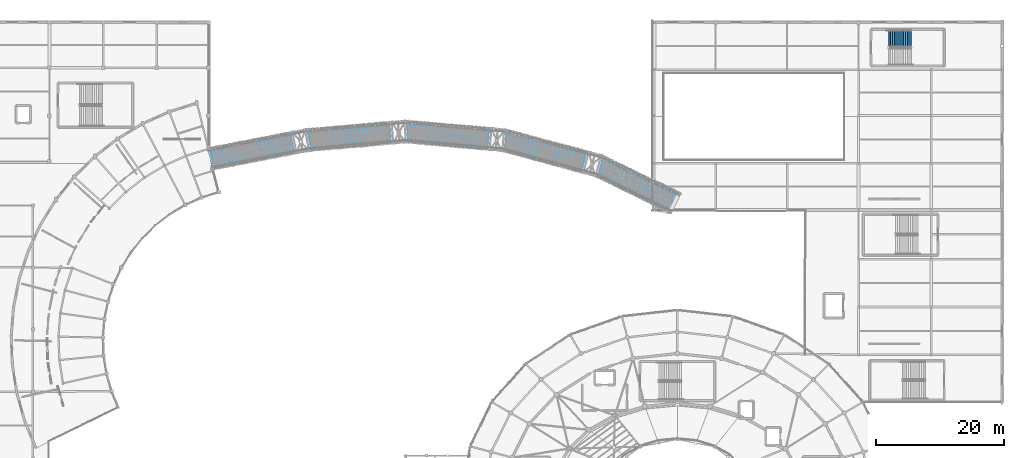
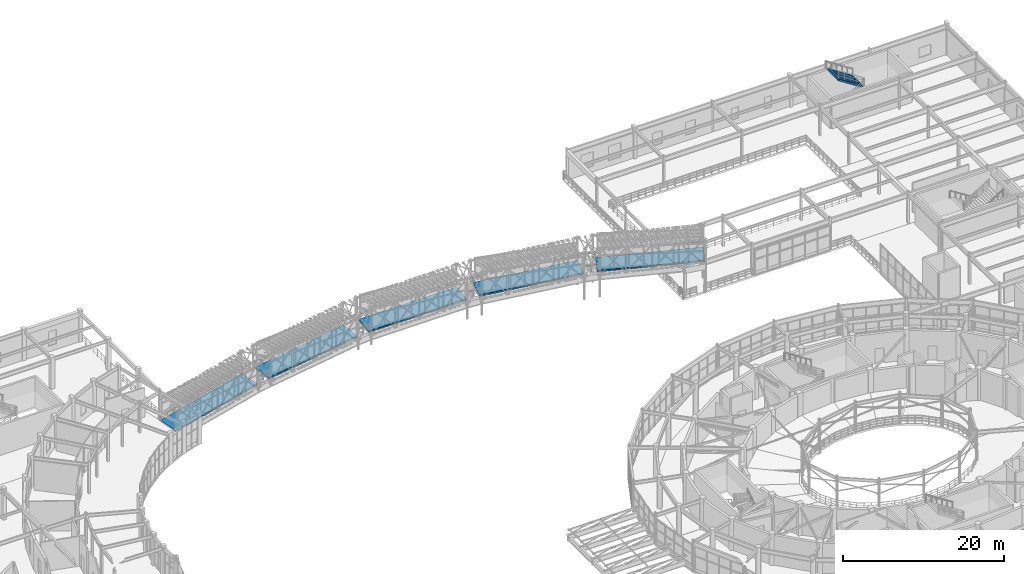
# One storey, part 129 of 144: 5 ramp flights, 1 stair flight, 2 elements without a shape of their own.
"""IFC4 building model written with IfcOpenShell, lengths in metres."""

from ifc_helpers import new_model, si_unit, direction, frame, origin, place, context, subcontext, project, spatial, polyline, outline, extrude, material, layer, layer_set, type_object, element, aggregate, save


model = new_model("IFC4")

# Units and contexts
model_context = context("Model", 3, precision=1e-05, world=origin(), true_north=direction((0.0, 1.0)))
body_context = subcontext(model_context, "Body", "Model", "MODEL_VIEW")
ifc_project = project(units=[si_unit("LENGTHUNIT", "METRE"), si_unit("AREAUNIT", "SQUARE_METRE"), si_unit("VOLUMEUNIT", "CUBIC_METRE"), si_unit("PLANEANGLEUNIT", "RADIAN"), si_unit("MASSUNIT", "GRAM", prefix="KILO")], contexts=[model_context])

# Site, building, storey
site_placement = place(None, origin())
site = spatial("IfcSite", under=ifc_project, at=site_placement, CompositionType="ELEMENT")
building_placement = place(site_placement, origin())
building = spatial("IfcBuilding", under=site, at=building_placement, Name="Cinderbank Siding Concert Hall", CompositionType="ELEMENT")
storey_placement = place(building_placement, frame((0.0, 0.0, 5.39990234375)))
storey = spatial("IfcBuildingStorey", under=building, at=storey_placement, Name="L02", CompositionType="ELEMENT", Elevation=5.39990234375)

# Stair, stair flight
ifc_material = material(Name="Reinforced concrete AS 3600 N50 (50 MPa)", Category="concrete")
stair_type = type_object("IfcStairType", Name="STR-A Dogleg Exit Stair 2650mm", PredefinedType="HALF_TURN_STAIR", material=ifc_material)
stair_placement = place(storey_placement, origin())
stair = element("IfcStair", 1, at=stair_placement, inside=storey, type_object=stair_type, Name="L02 Orchestral Pavilion Exit Stair ST-07", PredefinedType="HALF_TURN_STAIR")
stair_flight_type = type_object("IfcStairFlightType", Name="SFL-A Concrete Stair Flight 2650mm", PredefinedType="STRAIGHT", material=ifc_material)
stair_flight_placement = place(storey_placement, frame((158.6298828125, 115.3349609375, 2.400146484375), z_axis=(0.0, 0.0, 1.0), x_axis=(-1.0, 0.0, 0.0)))
stair_flight = element("IfcStairFlight", 2, at=stair_flight_placement, type_object=stair_flight_type, Name="ST-07 flight 2", NumberOfRisers=13, NumberOfTreads=12, PredefinedType="STRAIGHT", RiserHeight=0.184615385, TreadLength=0.29, context=body_context, shape_type="SweptSolid", body=[
    extrude(outline(polyline([(0.0, 0.0), (0.0, 0.1845703125), (0.2900390625, 0.1845703125), (0.2900390625, 0.369140625), (0.580078125, 0.369140625), (0.580078125, 0.553955078125), (0.8701171875, 0.553955078125), (0.8701171875, 0.738525390625), (1.159912109375, 0.738525390625), (1.159912109375, 0.923095703125), (1.449951171875, 0.923095703125), (1.449951171875, 1.107666015625), (1.739990234375, 1.107666015625), (1.739990234375, 1.292236328125), (2.030029296875, 1.292236328125), (2.030029296875, 1.476806640625), (2.320068359375, 1.476806640625), (2.320068359375, 1.66162109375), (2.610107421875, 1.66162109375), (2.610107421875, 1.84619140625), (2.89990234375, 1.84619140625), (2.89990234375, 2.03076171875), (3.18994140625, 2.03076171875), (3.18994140625, 2.21533203125), (3.47998046875, 2.21533203125), (3.534912109375, 2.39990234375), (3.534912109375, 2.03759765625), (3.53466796875, 2.037841796875), (3.53466796875, 2.0380859375), (3.53466796875, 2.038330078125), (3.53466796875, 2.03857421875), (3.53466796875, 2.038818359375), (3.53466796875, 2.0390625), (3.53466796875, 2.039306640625), (3.53466796875, 2.03955078125), (3.53466796875, 2.039794921875), (3.53466796875, 2.0400390625), (3.53466796875, 2.040283203125), (3.53466796875, 2.04052734375), (3.534423828125, 2.04052734375), (3.534423828125, 2.040283203125), (3.534423828125, 2.0400390625), (3.534423828125, 2.039794921875), (3.534423828125, 2.03955078125), (3.534423828125, 2.039306640625), (3.534423828125, 2.0390625), (3.534423828125, 2.038818359375), (3.534423828125, 2.03857421875), (3.534423828125, 2.038330078125), (3.534423828125, 2.0380859375), (3.534423828125, 2.037841796875), (3.534423828125, 2.03759765625), (3.5341796875, 2.037841796875), (3.5341796875, 2.0380859375), (3.5341796875, 2.038330078125), (3.5341796875, 2.03857421875), (3.5341796875, 2.038818359375), (3.5341796875, 2.0390625), (3.5341796875, 2.039306640625), (3.5341796875, 2.03955078125), (3.5341796875, 2.039794921875), (3.5341796875, 2.0400390625), (3.5341796875, 2.040283203125), (3.5341796875, 2.04052734375), (3.533935546875, 2.04052734375), (3.533935546875, 2.040283203125), (3.533935546875, 2.0400390625), (3.533935546875, 2.039794921875), (3.533935546875, 2.03955078125), (3.533935546875, 2.039306640625), (3.533935546875, 2.0390625), (3.533935546875, 2.038818359375), (3.533935546875, 2.03857421875), (3.533935546875, 2.038330078125), (3.533935546875, 2.0380859375), (3.533935546875, 2.037841796875), (3.533935546875, 2.03759765625), (3.53369140625, 2.037841796875), (3.53369140625, 2.0380859375), (3.53369140625, 2.038330078125), (3.53369140625, 2.03857421875), (3.53369140625, 2.038818359375), (3.53369140625, 2.0390625), (3.53369140625, 2.039306640625), (3.53369140625, 2.03955078125), (3.53369140625, 2.039794921875), (3.53369140625, 2.0400390625), (3.53369140625, 2.040283203125), (3.53369140625, 2.04052734375), (3.533447265625, 2.04052734375), (3.533447265625, 2.040283203125), (3.533447265625, 2.0400390625), (3.533447265625, 2.039794921875), (3.533447265625, 2.03955078125), (3.533447265625, 2.039306640625), (3.533447265625, 2.0390625), (3.533447265625, 2.038818359375), (3.533447265625, 2.03857421875), (3.533447265625, 2.038330078125), (3.533447265625, 2.0380859375), (3.533447265625, 2.037841796875), (3.533447265625, 2.03759765625), (3.533203125, 2.037841796875), (3.533203125, 2.0380859375), (3.533203125, 2.038330078125), (3.533203125, 2.03857421875), (3.533203125, 2.038818359375), (3.533203125, 2.0390625), (3.533203125, 2.039306640625), (3.533203125, 2.03955078125), (3.533203125, 2.039794921875), (3.533203125, 2.0400390625), (3.533203125, 2.040283203125), (3.533203125, 2.04052734375), (3.532958984375, 2.04052734375), (3.532958984375, 2.040283203125), (3.532958984375, 2.0400390625), (3.532958984375, 2.039794921875), (3.532958984375, 2.03955078125), (3.532958984375, 2.039306640625), (3.532958984375, 2.0390625), (3.532958984375, 2.038818359375), (3.532958984375, 2.03857421875), (3.532958984375, 2.038330078125), (3.532958984375, 2.0380859375), (3.532958984375, 2.037841796875), (3.532958984375, 2.03759765625), (3.53271484375, 2.037841796875), (3.53271484375, 2.0380859375), (3.53271484375, 2.038330078125), (3.53271484375, 2.03857421875), (3.53271484375, 2.038818359375), (3.53271484375, 2.0390625), (3.53271484375, 2.039306640625), (3.53271484375, 2.03955078125), (3.53271484375, 2.039794921875), (3.53271484375, 2.0400390625), (3.53271484375, 2.040283203125), (3.53271484375, 2.04052734375), (3.532470703125, 2.04052734375), (3.532470703125, 2.040283203125), (3.532470703125, 2.0400390625), (3.532470703125, 2.039794921875), (3.532470703125, 2.03955078125), (3.532470703125, 2.039306640625), (3.532470703125, 2.0390625), (3.532470703125, 2.038818359375), (3.532470703125, 2.03857421875), (3.532470703125, 2.038330078125), (3.532470703125, 2.0380859375), (3.532470703125, 2.037841796875), (3.532470703125, 2.03759765625), (3.5322265625, 2.037841796875), (3.5322265625, 2.0380859375), (3.5322265625, 2.038330078125), (3.5322265625, 2.03857421875), (3.5322265625, 2.038818359375), (3.5322265625, 2.0390625), (3.5322265625, 2.039306640625), (3.5322265625, 2.03955078125), (3.5322265625, 2.039794921875), (3.5322265625, 2.0400390625), (3.5322265625, 2.040283203125), (3.5322265625, 2.04052734375), (3.531982421875, 2.04052734375), (3.531982421875, 2.040283203125), (3.531982421875, 2.0400390625), (3.531982421875, 2.039794921875), (3.531982421875, 2.03955078125), (3.531982421875, 2.039306640625), (3.531982421875, 2.0390625), (3.531982421875, 2.038818359375), (3.531982421875, 2.03857421875), (3.531982421875, 2.038330078125), (3.531982421875, 2.0380859375), (3.531982421875, 2.037841796875), (3.531982421875, 2.03759765625), (3.53173828125, 2.037841796875), (3.53173828125, 2.0380859375), (3.53173828125, 2.038330078125), (3.53173828125, 2.03857421875), (3.53173828125, 2.038818359375), (3.53173828125, 2.0390625), (3.53173828125, 2.039306640625), (3.53173828125, 2.03955078125), (3.53173828125, 2.039794921875), (3.53173828125, 2.0400390625), (3.53173828125, 2.040283203125), (3.53173828125, 2.04052734375), (3.531494140625, 2.04052734375), (3.531494140625, 2.040283203125), (3.531494140625, 2.0400390625), (3.531494140625, 2.039794921875), (3.531494140625, 2.03955078125), (3.531494140625, 2.039306640625), (3.531494140625, 2.0390625), (3.531494140625, 2.038818359375), (3.531494140625, 2.03857421875), (3.531494140625, 2.038330078125), (3.531494140625, 2.0380859375), (3.531494140625, 2.037841796875), (3.531494140625, 2.03759765625), (3.53125, 2.037841796875), (3.53125, 2.0380859375), (3.53125, 2.038330078125), (3.53125, 2.03857421875), (3.53125, 2.038818359375), (3.53125, 2.0390625), (3.53125, 2.039306640625), (3.53125, 2.03955078125), (3.53125, 2.039794921875), (3.53125, 2.0400390625), (3.53125, 2.040283203125), (3.53125, 2.04052734375), (3.531005859375, 2.04052734375), (3.531005859375, 2.040283203125), (3.531005859375, 2.0400390625), (3.531005859375, 2.039794921875), (3.531005859375, 2.03955078125), (3.531005859375, 2.039306640625), (3.531005859375, 2.0390625), (3.531005859375, 2.038818359375), (3.531005859375, 2.03857421875), (3.531005859375, 2.038330078125), (3.531005859375, 2.0380859375), (3.531005859375, 2.037841796875), (3.531005859375, 2.03759765625), (3.53076171875, 2.037841796875), (3.53076171875, 2.0380859375), (3.53076171875, 2.038330078125), (3.53076171875, 2.03857421875), (3.53076171875, 2.038818359375), (3.53076171875, 2.0390625), (3.53076171875, 2.039306640625), (3.53076171875, 2.03955078125), (3.53076171875, 2.039794921875), (3.53076171875, 2.0400390625), (3.53076171875, 2.040283203125), (3.53076171875, 2.04052734375), (3.530517578125, 2.04052734375), (3.530517578125, 2.040283203125), (3.530517578125, 2.0400390625), (3.530517578125, 2.039794921875), (3.530517578125, 2.03955078125), (3.530517578125, 2.039306640625), (3.530517578125, 2.0390625), (3.530517578125, 2.038818359375), (3.530517578125, 2.03857421875), (3.530517578125, 2.038330078125), (3.530517578125, 2.0380859375), (3.530517578125, 2.037841796875), (3.530517578125, 2.03759765625), (3.5302734375, 2.037841796875), (3.5302734375, 2.0380859375), (3.5302734375, 2.038330078125), (3.5302734375, 2.03857421875), (3.5302734375, 2.038818359375), (3.5302734375, 2.0390625), (3.5302734375, 2.039306640625), (3.5302734375, 2.03955078125), (3.5302734375, 2.039794921875), (3.5302734375, 2.0400390625), (3.5302734375, 2.040283203125), (3.5302734375, 2.04052734375), (3.530029296875, 2.04052734375), (3.530029296875, 2.040283203125), (3.530029296875, 2.0400390625), (3.530029296875, 2.039794921875), (3.530029296875, 2.03955078125), (3.530029296875, 2.039306640625), (3.530029296875, 2.0390625), (3.530029296875, 2.038818359375), (3.530029296875, 2.03857421875), (3.530029296875, 2.038330078125), (3.530029296875, 2.0380859375), (3.530029296875, 2.037841796875), (3.530029296875, 2.03759765625), (3.52978515625, 2.037841796875), (3.52978515625, 2.0380859375), (3.52978515625, 2.038330078125), (3.52978515625, 2.03857421875), (3.52978515625, 2.038818359375), (3.52978515625, 2.0390625), (3.52978515625, 2.039306640625), (3.52978515625, 2.03955078125), (3.52978515625, 2.039794921875), (3.52978515625, 2.0400390625), (3.52978515625, 2.040283203125), (3.52978515625, 2.04052734375), (3.529541015625, 2.04052734375), (3.529541015625, 2.040283203125), (3.529541015625, 2.0400390625), (3.529541015625, 2.039794921875), (3.529541015625, 2.03955078125), (3.529541015625, 2.039306640625), (3.529541015625, 2.0390625), (3.529541015625, 2.038818359375), (3.529541015625, 2.03857421875), (3.529541015625, 2.038330078125), (3.529541015625, 2.0380859375), (3.529541015625, 2.037841796875), (3.529541015625, 2.03759765625), (3.529296875, 2.037841796875), (3.529296875, 2.0380859375), (3.529296875, 2.038330078125), (3.529296875, 2.03857421875), (3.529296875, 2.038818359375), (3.529296875, 2.0390625), (3.529296875, 2.039306640625), (3.529296875, 2.03955078125), (3.529296875, 2.039794921875), (3.529296875, 2.0400390625), (3.529296875, 2.040283203125), (3.529296875, 2.04052734375), (3.529052734375, 2.04052734375), (3.529052734375, 2.040283203125), (3.529052734375, 2.0400390625), (3.529052734375, 2.039794921875), (3.529052734375, 2.03955078125), (3.529052734375, 2.039306640625), (3.529052734375, 2.0390625), (3.529052734375, 2.038818359375), (3.529052734375, 2.03857421875), (3.529052734375, 2.038330078125), (3.529052734375, 2.0380859375), (3.529052734375, 2.037841796875), (3.529052734375, 2.03759765625), (3.52880859375, 2.037841796875), (3.52880859375, 2.0380859375), (3.52880859375, 2.038330078125), (3.52880859375, 2.03857421875), (3.52880859375, 2.038818359375), (3.52880859375, 2.0390625), (3.52880859375, 2.039306640625), (3.52880859375, 2.03955078125), (3.52880859375, 2.039794921875), (3.52880859375, 2.0400390625), (3.52880859375, 2.040283203125), (3.52880859375, 2.04052734375), (3.528564453125, 2.04052734375), (3.528564453125, 2.040283203125), (3.528564453125, 2.0400390625), (3.528564453125, 2.039794921875), (3.528564453125, 2.03955078125), (3.528564453125, 2.039306640625), (3.528564453125, 2.0390625), (3.528564453125, 2.038818359375), (3.528564453125, 2.03857421875), (3.528564453125, 2.038330078125), (3.528564453125, 2.0380859375), (3.528564453125, 2.037841796875), (3.528564453125, 2.03759765625), (0.279052734375, -0.06396484375), (-0.048583984375, -0.063720703125), (-0.048583984375, -0.0634765625), (-0.048583984375, -0.063232421875), (-0.048583984375, -0.06298828125), (-0.048583984375, -0.062744140625), (-0.048583984375, -0.0625), (-0.048583984375, -0.062255859375), (-0.048583984375, -0.06201171875), (-0.048583984375, -0.061767578125), (-0.048583984375, -0.0615234375), (-0.048583984375, -0.061279296875), (-0.048583984375, -0.06103515625), (-0.048828125, -0.06103515625), (-0.048828125, -0.061279296875), (-0.048828125, -0.0615234375), (-0.048828125, -0.061767578125), (-0.048828125, -0.06201171875), (-0.048828125, -0.062255859375), (-0.048828125, -0.0625), (-0.048828125, -0.062744140625), (-0.048828125, -0.06298828125), (-0.048828125, -0.063232421875), (-0.048828125, -0.0634765625), (-0.048828125, -0.063720703125), (-0.048828125, -0.06396484375), (-0.049072265625, -0.063720703125), (-0.049072265625, -0.0634765625), (-0.049072265625, -0.063232421875), (-0.049072265625, -0.06298828125), (-0.049072265625, -0.062744140625), (-0.049072265625, -0.0625), (-0.049072265625, -0.062255859375), (-0.049072265625, -0.06201171875), (-0.049072265625, -0.061767578125), (-0.049072265625, -0.0615234375), (-0.049072265625, -0.061279296875), (-0.049072265625, -0.06103515625), (-0.04931640625, -0.06103515625), (-0.04931640625, -0.061279296875), (-0.04931640625, -0.0615234375), (-0.04931640625, -0.061767578125), (-0.04931640625, -0.06201171875), (-0.04931640625, -0.062255859375), (-0.04931640625, -0.0625), (-0.04931640625, -0.062744140625), (-0.04931640625, -0.06298828125), (-0.04931640625, -0.063232421875), (-0.04931640625, -0.0634765625), (-0.04931640625, -0.063720703125), (-0.04931640625, -0.06396484375), (-0.049560546875, -0.063720703125), (-0.049560546875, -0.0634765625), (-0.049560546875, -0.063232421875), (-0.049560546875, -0.06298828125), (-0.049560546875, -0.062744140625), (-0.049560546875, -0.0625), (-0.049560546875, -0.062255859375), (-0.049560546875, -0.06201171875), (-0.049560546875, -0.061767578125), (-0.049560546875, -0.0615234375), (-0.049560546875, -0.061279296875), (-0.049560546875, -0.06103515625), (-0.0498046875, -0.06103515625), (-0.0498046875, -0.061279296875), (-0.0498046875, -0.0615234375), (-0.0498046875, -0.061767578125), (-0.0498046875, -0.06201171875), (-0.0498046875, -0.062255859375), (-0.0498046875, -0.0625), (-0.0498046875, -0.062744140625), (-0.0498046875, -0.06298828125), (-0.0498046875, -0.063232421875), (-0.0498046875, -0.0634765625), (-0.0498046875, -0.063720703125), (-0.0498046875, -0.06396484375), (-0.050048828125, -0.063720703125), (-0.050048828125, -0.0634765625), (-0.050048828125, -0.063232421875), (-0.050048828125, -0.06298828125), (-0.050048828125, -0.062744140625), (-0.050048828125, -0.0625), (-0.050048828125, -0.062255859375), (-0.050048828125, -0.06201171875), (-0.050048828125, -0.061767578125), (-0.050048828125, -0.0615234375), (-0.050048828125, -0.061279296875), (-0.050048828125, -0.06103515625), (-0.05029296875, -0.06103515625), (-0.05029296875, -0.061279296875), (-0.05029296875, -0.0615234375), (-0.05029296875, -0.061767578125), (-0.05029296875, -0.06201171875), (-0.05029296875, -0.062255859375), (-0.05029296875, -0.0625), (-0.05029296875, -0.062744140625), (-0.05029296875, -0.06298828125), (-0.05029296875, -0.063232421875), (-0.05029296875, -0.0634765625), (-0.05029296875, -0.063720703125), (-0.05029296875, -0.06396484375), (-0.050537109375, -0.063720703125), (-0.050537109375, -0.0634765625), (-0.050537109375, -0.063232421875), (-0.050537109375, -0.06298828125), (-0.050537109375, -0.062744140625), (-0.050537109375, -0.0625), (-0.050537109375, -0.062255859375), (-0.050537109375, -0.06201171875), (-0.050537109375, -0.061767578125), (-0.050537109375, -0.0615234375), (-0.050537109375, -0.061279296875), (-0.050537109375, -0.06103515625), (-0.05078125, -0.06103515625), (-0.05078125, -0.061279296875), (-0.05078125, -0.0615234375), (-0.05078125, -0.061767578125), (-0.05078125, -0.06201171875), (-0.05078125, -0.062255859375), (-0.05078125, -0.0625), (-0.05078125, -0.062744140625), (-0.05078125, -0.06298828125), (-0.05078125, -0.063232421875), (-0.05078125, -0.0634765625), (-0.05078125, -0.063720703125), (-0.05078125, -0.06396484375), (-0.051025390625, -0.063720703125), (-0.051025390625, -0.0634765625), (-0.051025390625, -0.063232421875), (-0.051025390625, -0.06298828125), (-0.051025390625, -0.062744140625), (-0.051025390625, -0.0625), (-0.051025390625, -0.062255859375), (-0.051025390625, -0.06201171875), (-0.051025390625, -0.061767578125), (-0.051025390625, -0.0615234375), (-0.051025390625, -0.061279296875), (-0.051025390625, -0.06103515625), (-0.05126953125, -0.06103515625), (-0.05126953125, -0.061279296875), (-0.05126953125, -0.0615234375), (-0.05126953125, -0.061767578125), (-0.05126953125, -0.06201171875), (-0.05126953125, -0.062255859375), (-0.05126953125, -0.0625), (-0.05126953125, -0.062744140625), (-0.05126953125, -0.06298828125), (-0.05126953125, -0.063232421875), (-0.05126953125, -0.0634765625), (-0.05126953125, -0.063720703125), (-0.05126953125, -0.06396484375), (-0.051513671875, -0.063720703125), (-0.051513671875, -0.0634765625), (-0.051513671875, -0.063232421875), (-0.051513671875, -0.06298828125), (-0.051513671875, -0.062744140625), (-0.051513671875, -0.0625), (-0.051513671875, -0.062255859375), (-0.051513671875, -0.06201171875), (-0.051513671875, -0.061767578125), (-0.051513671875, -0.0615234375), (-0.051513671875, -0.061279296875), (-0.051513671875, -0.06103515625), (-0.0517578125, -0.06103515625), (-0.0517578125, -0.061279296875), (-0.0517578125, -0.0615234375), (-0.0517578125, -0.061767578125), (-0.0517578125, -0.06201171875), (-0.0517578125, -0.062255859375), (-0.0517578125, -0.0625), (-0.0517578125, -0.062744140625), (-0.0517578125, -0.06298828125), (-0.0517578125, -0.063232421875), (-0.0517578125, -0.0634765625), (-0.0517578125, -0.063720703125), (-0.0517578125, -0.06396484375), (-0.052001953125, -0.063720703125), (-0.052001953125, -0.0634765625), (-0.052001953125, -0.063232421875), (-0.052001953125, -0.06298828125), (-0.052001953125, -0.062744140625), (-0.052001953125, -0.0625), (-0.052001953125, -0.062255859375), (-0.052001953125, -0.06201171875), (-0.052001953125, -0.061767578125), (-0.052001953125, -0.0615234375), (-0.052001953125, -0.061279296875), (-0.052001953125, -0.06103515625), (-0.05224609375, -0.06103515625), (-0.05224609375, -0.061279296875), (-0.05224609375, -0.0615234375), (-0.05224609375, -0.061767578125), (-0.05224609375, -0.06201171875), (-0.05224609375, -0.062255859375), (-0.05224609375, -0.0625), (-0.05224609375, -0.062744140625), (-0.05224609375, -0.06298828125), (-0.05224609375, -0.063232421875), (-0.05224609375, -0.0634765625), (-0.05224609375, -0.063720703125), (-0.05224609375, -0.06396484375), (-0.052490234375, -0.063720703125), (-0.052490234375, -0.0634765625), (-0.052490234375, -0.063232421875), (-0.052490234375, -0.06298828125), (-0.052490234375, -0.062744140625), (-0.052490234375, -0.0625), (-0.052490234375, -0.062255859375), (-0.052490234375, -0.06201171875), (-0.052490234375, -0.061767578125), (-0.052490234375, -0.0615234375), (-0.052490234375, -0.061279296875), (-0.052490234375, -0.06103515625), (-0.052734375, -0.06103515625), (-0.052734375, -0.061279296875), (-0.052734375, -0.0615234375), (-0.052734375, -0.061767578125), (-0.052734375, -0.06201171875), (-0.052734375, -0.062255859375), (-0.052734375, -0.0625), (-0.052734375, -0.062744140625), (-0.052734375, -0.06298828125), (-0.052734375, -0.063232421875), (-0.052734375, -0.0634765625), (-0.052734375, -0.063720703125), (-0.052734375, -0.06396484375), (-0.052978515625, -0.063720703125), (-0.052978515625, -0.0634765625), (-0.052978515625, -0.063232421875), (-0.052978515625, -0.06298828125), (-0.052978515625, -0.062744140625), (-0.052978515625, -0.0625), (-0.052978515625, -0.062255859375), (-0.052978515625, -0.06201171875), (-0.052978515625, -0.061767578125), (-0.052978515625, -0.0615234375), (-0.052978515625, -0.061279296875), (-0.052978515625, -0.06103515625), (-0.05322265625, -0.06103515625), (-0.05322265625, -0.061279296875), (-0.05322265625, -0.0615234375), (-0.05322265625, -0.061767578125), (-0.05322265625, -0.06201171875), (-0.05322265625, -0.062255859375), (-0.05322265625, -0.0625), (-0.05322265625, -0.062744140625), (-0.05322265625, -0.06298828125), (-0.05322265625, -0.063232421875), (-0.05322265625, -0.0634765625), (-0.05322265625, -0.063720703125), (-0.05322265625, -0.06396484375), (-0.053466796875, -0.063720703125), (-0.053466796875, -0.0634765625), (-0.053466796875, -0.063232421875), (-0.053466796875, -0.06298828125), (-0.053466796875, -0.062744140625), (-0.053466796875, -0.0625), (-0.053466796875, -0.062255859375), (-0.053466796875, -0.06201171875), (-0.053466796875, -0.061767578125), (-0.053466796875, -0.0615234375), (-0.053466796875, -0.061279296875), (-0.053466796875, -0.06103515625), (-0.0537109375, -0.06103515625), (-0.0537109375, -0.061279296875), (-0.0537109375, -0.0615234375), (-0.0537109375, -0.061767578125), (-0.0537109375, -0.06201171875), (-0.0537109375, -0.062255859375), (-0.0537109375, -0.0625), (-0.0537109375, -0.062744140625), (-0.0537109375, -0.06298828125), (-0.0537109375, -0.063232421875), (-0.0537109375, -0.0634765625), (-0.0537109375, -0.063720703125), (-0.0537109375, -0.06396484375), (-0.053955078125, -0.063720703125), (-0.053955078125, -0.0634765625), (-0.053955078125, -0.063232421875), (-0.053955078125, -0.06298828125), (-0.053955078125, -0.062744140625), (-0.053955078125, -0.0625), (-0.053955078125, -0.062255859375), (-0.053955078125, -0.06201171875), (-0.053955078125, -0.061767578125), (-0.053955078125, -0.0615234375), (-0.053955078125, -0.061279296875), (-0.053955078125, -0.06103515625), (-0.05419921875, -0.06103515625), (-0.05419921875, -0.061279296875), (-0.05419921875, -0.0615234375), (-0.05419921875, -0.061767578125), (-0.05419921875, -0.06201171875), (-0.05419921875, -0.062255859375), (-0.05419921875, -0.0625), (-0.05419921875, -0.062744140625), (-0.05419921875, -0.06298828125), (-0.05419921875, -0.063232421875), (-0.05419921875, -0.0634765625), (-0.05419921875, -0.063720703125), (-0.05419921875, -0.06396484375), (-0.054443359375, -0.063720703125), (-0.054443359375, -0.0634765625), (-0.054443359375, -0.063232421875), (-0.054443359375, -0.06298828125), (-0.054443359375, -0.062744140625), (-0.054443359375, -0.0625), (-0.054443359375, -0.062255859375), (-0.054443359375, -0.06201171875), (-0.054443359375, -0.061767578125), (-0.054443359375, -0.0615234375), (-0.054443359375, -0.061279296875), (-0.054443359375, -0.06103515625), (-0.0546875, -0.06103515625), (-0.0546875, -0.061279296875), (-0.0546875, -0.0615234375), (-0.0546875, -0.061767578125), (-0.0546875, -0.06201171875), (-0.0546875, -0.062255859375), (-0.0546875, -0.0625), (-0.0546875, -0.062744140625), (-0.0546875, -0.06298828125), (-0.0546875, -0.063232421875), (-0.0546875, -0.0634765625), (-0.0546875, -0.063720703125), (-0.0546875, -0.06396484375), (-0.054931640625, -0.06396484375), (-0.054931640625, 0.0), (0.0, 0.0)])), frame((0.0, 1.324951171875, 0.0), z_axis=(0.0, -1.0, 0.0), x_axis=(1.0, 0.0, 0.0)), (0.0, 0.0, 1.0), 2.64990234375),
])
aggregate(stair, [stair_flight])

# Ramp, ramp flights
ramp_type = type_object("IfcRampType", Name="RP-BR1 Curving Forecourt Ramp Bridge", PredefinedType="HALF_TURN_RAMP", material=ifc_material)
ramp_placement = place(storey_placement, origin())
ramp = element("IfcRamp", 3, at=ramp_placement, inside=storey, type_object=ramp_type, Name="Forecourt Curving 1:14 Accessible Ramp Bridge", PredefinedType="HALF_TURN_RAMP")
ifc_layer = layer(ifc_material, 0.239990234375)
ifc_layer_set = layer_set([ifc_layer], Name="Reinforced concrete AS 3600 N50 (50 MPa)")
ramp_flight_type = type_object("IfcRampFlightType", Name="RPF-01 Bridge Accessible Ramp Flight", PredefinedType="SPIRAL", material=ifc_layer_set)
ramp_flight_1_placement = place(storey_placement, frame((48.800048828125, 96.5, 0.0), z_axis=(0.0, 0.0, 1.0), x_axis=(0.981627583314, 0.190806938232, 0.0)))
ramp_flight_1 = element("IfcRampFlight", 4, at=ramp_flight_1_placement, type_object=ramp_flight_type, Name="Bridge Ramp Flight #1", PredefinedType="SPIRAL", context=body_context, shape_type="SweptSolid", body=[
    extrude(outline(polyline([(0.0, 0.0), (13.43994140625, 0.960205078125), (13.43994140625, 0.72021484375), (0.0, -0.239990234375), (0.0, 0.0)])), frame((0.0, 1.425048828125, 0.0), z_axis=(0.0, -1.0, 0.0), x_axis=(1.0, 0.0, 0.0)), (0.0, 0.0, 1.0), 2.85009765625),
])
ramp_flight_2_placement = place(storey_placement, frame((63.956298828125, 99.446044921875, 0.960205078125), z_axis=(0.0, 0.0, 1.0), x_axis=(0.996194644147, 0.087156359341, 0.0)))
ramp_flight_2 = element("IfcRampFlight", 5, at=ramp_flight_2_placement, type_object=ramp_flight_type, Name="Bridge Ramp Flight #3", PredefinedType="SPIRAL", context=body_context, shape_type="SweptSolid", body=[
    extrude(outline(polyline([(0.0, 0.0), (13.43994140625, 0.9599609375), (13.43994140625, 0.719970703125), (0.0, -0.239990234375), (0.0, 0.0)])), frame((0.0, 1.425048828125, 0.0), z_axis=(0.0, -1.0, 0.0), x_axis=(1.0, 0.0, 0.0)), (0.0, 0.0, 1.0), 2.85009765625),
])
ramp_flight_3_placement = place(storey_placement, frame((79.337646484375, 100.791748046875, 1.920166015625), z_axis=(0.0, 0.0, 1.0), x_axis=(0.996194644147, -0.087156359341, 0.0)))
ramp_flight_3 = element("IfcRampFlight", 6, at=ramp_flight_3_placement, type_object=ramp_flight_type, Name="Bridge Ramp Flight #5", PredefinedType="SPIRAL", context=body_context, shape_type="SweptSolid", body=[
    extrude(outline(polyline([(0.0, 0.0), (13.43994140625, 0.9599609375), (13.43994140625, 0.719970703125), (0.0, -0.239990234375), (0.0, 0.0)])), frame((0.0, 1.425048828125, 0.0), z_axis=(0.0, -1.0, 0.0), x_axis=(1.0, 0.0, 0.0)), (0.0, 0.0, 1.0), 2.85009765625),
])
ramp_flight_4_placement = place(storey_placement, frame((94.718994140625, 99.446044921875, 2.880126953125), z_axis=(0.0, 0.0, 1.0), x_axis=(0.965925510022, -0.258820225426, 0.0)))
ramp_flight_4 = element("IfcRampFlight", 7, at=ramp_flight_4_placement, type_object=ramp_flight_type, Name="Bridge Ramp Flight #7", PredefinedType="SPIRAL", context=body_context, shape_type="SweptSolid", body=[
    extrude(outline(polyline([(0.0, 0.0), (13.43994140625, 0.9599609375), (13.43994140625, 0.719970703125), (0.0, -0.239990234375), (0.0, 0.0)])), frame((0.0, 1.425048828125, 0.0), z_axis=(0.0, -1.0, 0.0), x_axis=(1.0, 0.0, 0.0)), (0.0, 0.0, 1.0), 2.85009765625),
])
ramp_flight_5_placement = place(storey_placement, frame((109.6328125, 95.449951171875, 3.840087890625), z_axis=(0.0, 0.0, 1.0), x_axis=(0.898797773377, -0.438363505065, 0.0)))
ramp_flight_5 = element("IfcRampFlight", 8, at=ramp_flight_5_placement, type_object=ramp_flight_type, Name="Bridge Ramp Flight #9", PredefinedType="SPIRAL", context=body_context, shape_type="SweptSolid", body=[
    extrude(outline(polyline([(0.0, 0.0), (13.43994140625, 0.9599609375), (13.43994140625, 0.719970703125), (0.0, -0.239990234375), (0.0, 0.0)])), frame((0.0, 1.425048828125, 0.0), z_axis=(0.0, -1.0, 0.0), x_axis=(1.0, 0.0, 0.0)), (0.0, 0.0, 1.0), 2.85009765625),
])
aggregate(ramp, [ramp_flight_1, ramp_flight_2, ramp_flight_3, ramp_flight_4, ramp_flight_5])

save(model, "model.ifc")
